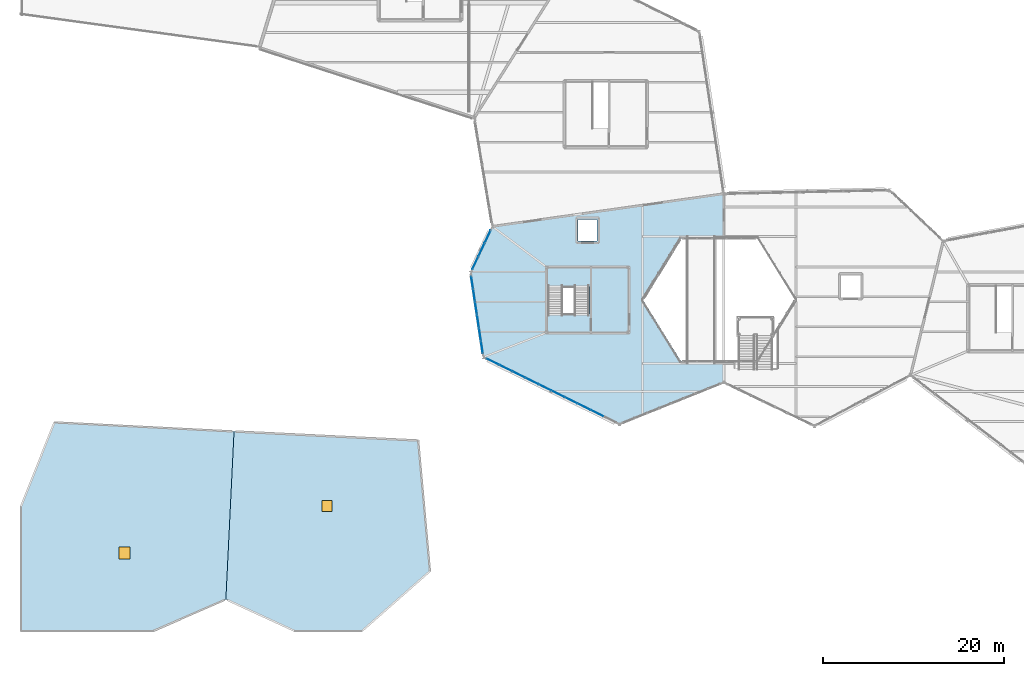
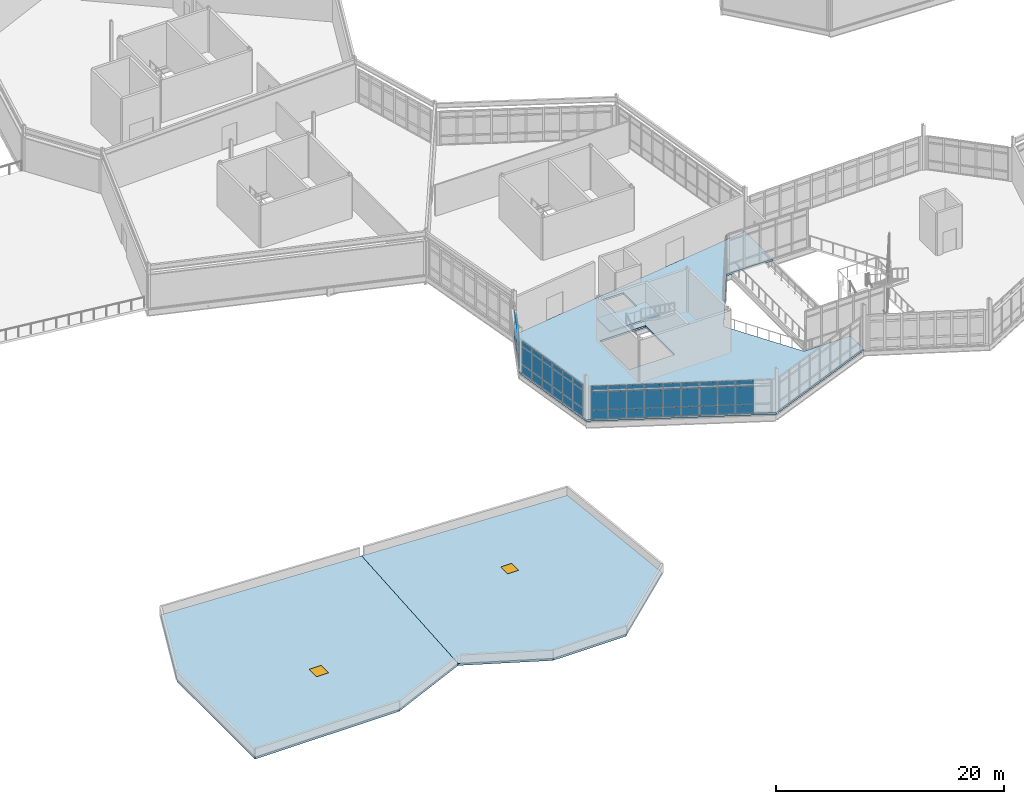
# One storey, part 44 of 76: 53 plates, 4 slabs, 2 doors, 2 openings, 4 elements without a shape of their own.
"""IFC4 building model written with IfcOpenShell, lengths in metres."""

from ifc_helpers import new_model, si_unit, direction, frame, origin, origin_2d, place, context, subcontext, project, spatial, polyline, rectangle, outline, extrude, material, layer, layer_set, type_object, element, fill, aggregate, save


model = new_model("IFC4")

# Units and contexts
model_context = context("Model", 3, precision=1e-05, world=origin(), true_north=direction((0.0, 1.0)))
body_context = subcontext(model_context, "Body", "Model", "MODEL_VIEW")
ifc_project = project(units=[si_unit("LENGTHUNIT", "METRE"), si_unit("AREAUNIT", "SQUARE_METRE"), si_unit("VOLUMEUNIT", "CUBIC_METRE"), si_unit("PLANEANGLEUNIT", "RADIAN"), si_unit("MASSUNIT", "GRAM", prefix="KILO")], contexts=[model_context])

# Site, building, storey
site_placement = place(None, origin())
site = spatial("IfcSite", under=ifc_project, at=site_placement, CompositionType="ELEMENT")
building_placement = place(site_placement, origin())
building = spatial("IfcBuilding", under=site, at=building_placement, Name="Tameran Prism Museum", CompositionType="ELEMENT")
storey_placement = place(building_placement, frame((0.0, 0.0, 15.0)))
storey = spatial("IfcBuildingStorey", under=building, at=storey_placement, Name="L03", CompositionType="ELEMENT", Elevation=15.0)

# Curtain wall, plates
ifc_material_1 = material(Name="Anodised Aluminium 6063-T6 and Cyclone Solar Glass", Category="aluminium")
curtain_wall_type_1 = type_object("IfcCurtainWallType", Name="CW-FAC-870x362", PredefinedType="USERDEFINED", material=ifc_material_1)
curtain_wall_1_placement = place(storey_placement, origin())
curtain_wall_1 = element("IfcCurtainWall", 1, at=curtain_wall_1_placement, inside=storey, type_object=curtain_wall_type_1, Name="Unitised Curtain Wall CW-134", ObjectType="UNITISED CURTAIN WALL", PredefinedType="USERDEFINED")
ifc_material_2 = material(Name="Cyclone Laminated Solar Glass", Category="glass")
ifc_layer_1 = layer(ifc_material_2, 0.031982421875)
ifc_layer_set_1 = layer_set([ifc_layer_1])
plate_type = type_object("IfcPlateType", Name="CW-PNL-G32", PredefinedType="CURTAIN_PANEL", material=ifc_layer_set_1)
plate_1_placement = place(storey_placement, frame((50.8369140625, 31.283203125, 0.080078125), z_axis=(0.0, 0.0, 1.0), x_axis=(-0.148879703546, 0.988855314933, 0.0)))
plate_1 = element("IfcPlate", 2, at=plate_1_placement, type_object=plate_type, Name="CW-134 panel 1.1", PredefinedType="CURTAIN_PANEL", context=body_context, shape_type="SweptSolid", body=[
    extrude(rectangle(XDim=1.330810546875, YDim=0.031982421875, at=origin_2d()), origin(), (0.0, 0.0, 1.0), 0.8798828125),
])
plate_2_placement = place(storey_placement, frame((50.8369140625, 31.283203125, 1.0400390625), z_axis=(0.0, 0.0, 1.0), x_axis=(-0.148879703546, 0.988855314933, 0.0)))
plate_2 = element("IfcPlate", 3, at=plate_2_placement, type_object=plate_type, Name="CW-134 panel 1.2", PredefinedType="CURTAIN_PANEL", context=body_context, shape_type="SweptSolid", body=[
    extrude(rectangle(XDim=1.330810546875, YDim=0.031982421875, at=origin_2d()), origin(), (0.0, 0.0, 1.0), 1.860107421875),
])
plate_3_placement = place(storey_placement, frame((50.8369140625, 31.283203125, 2.97998046875), z_axis=(0.0, 0.0, 1.0), x_axis=(-0.148879703546, 0.988855314933, 0.0)))
plate_3 = element("IfcPlate", 4, at=plate_3_placement, type_object=plate_type, Name="CW-134 panel 1.3", PredefinedType="CURTAIN_PANEL", context=body_context, shape_type="SweptSolid", body=[
    extrude(rectangle(XDim=1.330810546875, YDim=0.031982421875, at=origin_2d()), origin(), (0.0, 0.0, 1.0), 0.56005859375),
])
plate_4_placement = place(storey_placement, frame((50.6240234375, 32.697998046875, 0.080078125), z_axis=(0.0, 0.0, 1.0), x_axis=(-0.148879703546, 0.988855314933, 0.0)))
plate_4 = element("IfcPlate", 5, at=plate_4_placement, type_object=plate_type, Name="CW-134 panel 2.1", PredefinedType="CURTAIN_PANEL", context=body_context, shape_type="SweptSolid", body=[
    extrude(rectangle(XDim=1.370849609375, YDim=0.031982421875, at=origin_2d()), origin(), (0.0, 0.0, 1.0), 0.8798828125),
])
plate_5_placement = place(storey_placement, frame((50.6240234375, 32.697998046875, 1.0400390625), z_axis=(0.0, 0.0, 1.0), x_axis=(-0.148879703546, 0.988855314933, 0.0)))
plate_5 = element("IfcPlate", 6, at=plate_5_placement, type_object=plate_type, Name="CW-134 panel 2.2", PredefinedType="CURTAIN_PANEL", context=body_context, shape_type="SweptSolid", body=[
    extrude(rectangle(XDim=1.370849609375, YDim=0.031982421875, at=origin_2d()), origin(), (0.0, 0.0, 1.0), 1.860107421875),
])
plate_6_placement = place(storey_placement, frame((50.6240234375, 32.697998046875, 2.97998046875), z_axis=(0.0, 0.0, 1.0), x_axis=(-0.148879703546, 0.988855314933, 0.0)))
plate_6 = element("IfcPlate", 7, at=plate_6_placement, type_object=plate_type, Name="CW-134 panel 2.3", PredefinedType="CURTAIN_PANEL", context=body_context, shape_type="SweptSolid", body=[
    extrude(rectangle(XDim=1.370849609375, YDim=0.031982421875, at=origin_2d()), origin(), (0.0, 0.0, 1.0), 0.56005859375),
])
plate_7_placement = place(storey_placement, frame((50.407958984375, 34.132568359375, 0.080078125), z_axis=(0.0, 0.0, 1.0), x_axis=(-0.148879703546, 0.988855314933, 0.0)))
plate_7 = element("IfcPlate", 8, at=plate_7_placement, type_object=plate_type, Name="CW-134 panel 3.1", PredefinedType="CURTAIN_PANEL", context=body_context, shape_type="SweptSolid", body=[
    extrude(rectangle(XDim=1.370849609375, YDim=0.031982421875, at=origin_2d()), origin(), (0.0, 0.0, 1.0), 0.8798828125),
])
plate_8_placement = place(storey_placement, frame((50.407958984375, 34.132568359375, 1.0400390625), z_axis=(0.0, 0.0, 1.0), x_axis=(-0.148879703546, 0.988855314933, 0.0)))
plate_8 = element("IfcPlate", 9, at=plate_8_placement, type_object=plate_type, Name="CW-134 panel 3.2", PredefinedType="CURTAIN_PANEL", context=body_context, shape_type="SweptSolid", body=[
    extrude(rectangle(XDim=1.370849609375, YDim=0.031982421875, at=origin_2d()), origin(), (0.0, 0.0, 1.0), 1.860107421875),
])
plate_9_placement = place(storey_placement, frame((50.407958984375, 34.132568359375, 2.97998046875), z_axis=(0.0, 0.0, 1.0), x_axis=(-0.148879703546, 0.988855314933, 0.0)))
plate_9 = element("IfcPlate", 10, at=plate_9_placement, type_object=plate_type, Name="CW-134 panel 3.3", PredefinedType="CURTAIN_PANEL", context=body_context, shape_type="SweptSolid", body=[
    extrude(rectangle(XDim=1.370849609375, YDim=0.031982421875, at=origin_2d()), origin(), (0.0, 0.0, 1.0), 0.56005859375),
])
plate_10_placement = place(storey_placement, frame((50.19189453125, 35.5673828125, 0.080078125), z_axis=(0.0, 0.0, 1.0), x_axis=(-0.148879703546, 0.988855314933, 0.0)))
plate_10 = element("IfcPlate", 11, at=plate_10_placement, type_object=plate_type, Name="CW-134 panel 4.1", PredefinedType="CURTAIN_PANEL", context=body_context, shape_type="SweptSolid", body=[
    extrude(rectangle(XDim=1.370849609375, YDim=0.031982421875, at=origin_2d()), origin(), (0.0, 0.0, 1.0), 0.8798828125),
])
plate_11_placement = place(storey_placement, frame((50.19189453125, 35.5673828125, 1.0400390625), z_axis=(0.0, 0.0, 1.0), x_axis=(-0.148879703546, 0.988855314933, 0.0)))
plate_11 = element("IfcPlate", 12, at=plate_11_placement, type_object=plate_type, Name="CW-134 panel 4.2", PredefinedType="CURTAIN_PANEL", context=body_context, shape_type="SweptSolid", body=[
    extrude(rectangle(XDim=1.370849609375, YDim=0.031982421875, at=origin_2d()), origin(), (0.0, 0.0, 1.0), 1.860107421875),
])
plate_12_placement = place(storey_placement, frame((50.19189453125, 35.5673828125, 2.97998046875), z_axis=(0.0, 0.0, 1.0), x_axis=(-0.148879703546, 0.988855314933, 0.0)))
plate_12 = element("IfcPlate", 13, at=plate_12_placement, type_object=plate_type, Name="CW-134 panel 4.3", PredefinedType="CURTAIN_PANEL", context=body_context, shape_type="SweptSolid", body=[
    extrude(rectangle(XDim=1.370849609375, YDim=0.031982421875, at=origin_2d()), origin(), (0.0, 0.0, 1.0), 0.56005859375),
])
plate_13_placement = place(storey_placement, frame((49.97607421875, 37.001953125, 0.080078125), z_axis=(0.0, 0.0, 1.0), x_axis=(-0.148879703546, 0.988855314933, 0.0)))
plate_13 = element("IfcPlate", 14, at=plate_13_placement, type_object=plate_type, Name="CW-134 panel 5.1", PredefinedType="CURTAIN_PANEL", context=body_context, shape_type="SweptSolid", body=[
    extrude(rectangle(XDim=1.370849609375, YDim=0.031982421875, at=origin_2d()), origin(), (0.0, 0.0, 1.0), 0.8798828125),
])
plate_14_placement = place(storey_placement, frame((49.97607421875, 37.001953125, 1.0400390625), z_axis=(0.0, 0.0, 1.0), x_axis=(-0.148879703546, 0.988855314933, 0.0)))
plate_14 = element("IfcPlate", 15, at=plate_14_placement, type_object=plate_type, Name="CW-134 panel 5.2", PredefinedType="CURTAIN_PANEL", context=body_context, shape_type="SweptSolid", body=[
    extrude(rectangle(XDim=1.370849609375, YDim=0.031982421875, at=origin_2d()), origin(), (0.0, 0.0, 1.0), 1.860107421875),
])
plate_15_placement = place(storey_placement, frame((49.97607421875, 37.001953125, 2.97998046875), z_axis=(0.0, 0.0, 1.0), x_axis=(-0.148879703546, 0.988855314933, 0.0)))
plate_15 = element("IfcPlate", 16, at=plate_15_placement, type_object=plate_type, Name="CW-134 panel 5.3", PredefinedType="CURTAIN_PANEL", context=body_context, shape_type="SweptSolid", body=[
    extrude(rectangle(XDim=1.370849609375, YDim=0.031982421875, at=origin_2d()), origin(), (0.0, 0.0, 1.0), 0.56005859375),
])
plate_16_placement = place(storey_placement, frame((49.762939453125, 38.4169921875, 0.080078125), z_axis=(0.0, 0.0, 1.0), x_axis=(-0.148879703546, 0.988855314933, 0.0)))
plate_16 = element("IfcPlate", 17, at=plate_16_placement, type_object=plate_type, Name="CW-134 panel 6.1", PredefinedType="CURTAIN_PANEL", context=body_context, shape_type="SweptSolid", body=[
    extrude(rectangle(XDim=1.330810546875, YDim=0.031982421875, at=origin_2d()), origin(), (0.0, 0.0, 1.0), 0.8798828125),
])
plate_17_placement = place(storey_placement, frame((49.762939453125, 38.4169921875, 1.0400390625), z_axis=(0.0, 0.0, 1.0), x_axis=(-0.148879703546, 0.988855314933, 0.0)))
plate_17 = element("IfcPlate", 18, at=plate_17_placement, type_object=plate_type, Name="CW-134 panel 6.2", PredefinedType="CURTAIN_PANEL", context=body_context, shape_type="SweptSolid", body=[
    extrude(rectangle(XDim=1.330810546875, YDim=0.031982421875, at=origin_2d()), origin(), (0.0, 0.0, 1.0), 1.860107421875),
])
plate_18_placement = place(storey_placement, frame((49.762939453125, 38.4169921875, 2.97998046875), z_axis=(0.0, 0.0, 1.0), x_axis=(-0.148879703546, 0.988855314933, 0.0)))
plate_18 = element("IfcPlate", 19, at=plate_18_placement, type_object=plate_type, Name="CW-134 panel 6.3", PredefinedType="CURTAIN_PANEL", context=body_context, shape_type="SweptSolid", body=[
    extrude(rectangle(XDim=1.330810546875, YDim=0.031982421875, at=origin_2d()), origin(), (0.0, 0.0, 1.0), 0.56005859375),
])
aggregate(curtain_wall_1, [plate_1, plate_2, plate_3, plate_4, plate_5, plate_6, plate_7, plate_8, plate_9, plate_10, plate_11, plate_12, plate_13, plate_14, plate_15, plate_16, plate_17, plate_18])

ifc_material_3 = material(Name="Anodised Aluminium 6063-T6 and Cyclone Solar Glass", Category="aluminium")
curtain_wall_type_2 = type_object("IfcCurtainWallType", Name="CW-FAC-1603x362", PredefinedType="USERDEFINED", material=ifc_material_3)
curtain_wall_2_placement = place(storey_placement, origin())
curtain_wall_2 = element("IfcCurtainWall", 20, at=curtain_wall_2_placement, inside=storey, type_object=curtain_wall_type_2, Name="Unitised Curtain Wall CW-135", ObjectType="UNITISED CURTAIN WALL", PredefinedType="USERDEFINED")
plate_19_placement = place(storey_placement, frame((63.5302734375, 24.0185546875, 0.06494140625), z_axis=(0.0, 0.0, 1.0), x_axis=(-0.896810506275, 0.44241486846, 0.0)))
plate_19 = element("IfcPlate", 21, at=plate_19_placement, type_object=plate_type, Name="CW-135 panel 2.1", PredefinedType="CURTAIN_PANEL", context=body_context, shape_type="SweptSolid", body=[
    extrude(rectangle(XDim=1.53759765625, YDim=0.031982421875, at=origin_2d()), origin(), (0.0, 0.0, 1.0), 0.902587890625),
])
plate_20_placement = place(storey_placement, frame((63.5302734375, 24.0185546875, 1.032470703125), z_axis=(0.0, 0.0, 1.0), x_axis=(-0.896810506275, 0.44241486846, 0.0)))
plate_20 = element("IfcPlate", 22, at=plate_20_placement, type_object=plate_type, Name="CW-135 panel 2.2", PredefinedType="CURTAIN_PANEL", context=body_context, shape_type="SweptSolid", body=[
    extrude(rectangle(XDim=1.53759765625, YDim=0.031982421875, at=origin_2d()), origin(), (0.0, 0.0, 1.0), 1.875),
])
plate_21_placement = place(storey_placement, frame((63.5302734375, 24.0185546875, 2.972412109375), z_axis=(0.0, 0.0, 1.0), x_axis=(-0.896810506275, 0.44241486846, 0.0)))
plate_21 = element("IfcPlate", 23, at=plate_21_placement, type_object=plate_type, Name="CW-135 panel 2.3", PredefinedType="CURTAIN_PANEL", context=body_context, shape_type="SweptSolid", body=[
    extrude(rectangle(XDim=1.53759765625, YDim=0.031982421875, at=origin_2d()), origin(), (0.0, 0.0, 1.0), 0.58251953125),
])
plate_22_placement = place(storey_placement, frame((62.093017578125, 24.7275390625, 0.06494140625), z_axis=(0.0, 0.0, 1.0), x_axis=(-0.896810506275, 0.44241486846, 0.0)))
plate_22 = element("IfcPlate", 24, at=plate_22_placement, type_object=plate_type, Name="CW-135 panel 3.1", PredefinedType="CURTAIN_PANEL", context=body_context, shape_type="SweptSolid", body=[
    extrude(rectangle(XDim=1.53759765625, YDim=0.031982421875, at=origin_2d()), origin(), (0.0, 0.0, 1.0), 0.902587890625),
])
plate_23_placement = place(storey_placement, frame((62.093017578125, 24.7275390625, 1.032470703125), z_axis=(0.0, 0.0, 1.0), x_axis=(-0.896810506275, 0.44241486846, 0.0)))
plate_23 = element("IfcPlate", 25, at=plate_23_placement, type_object=plate_type, Name="CW-135 panel 3.2", PredefinedType="CURTAIN_PANEL", context=body_context, shape_type="SweptSolid", body=[
    extrude(rectangle(XDim=1.53759765625, YDim=0.031982421875, at=origin_2d()), origin(), (0.0, 0.0, 1.0), 1.875),
])
plate_24_placement = place(storey_placement, frame((62.093017578125, 24.7275390625, 2.972412109375), z_axis=(0.0, 0.0, 1.0), x_axis=(-0.896810506275, 0.44241486846, 0.0)))
plate_24 = element("IfcPlate", 26, at=plate_24_placement, type_object=plate_type, Name="CW-135 panel 3.3", PredefinedType="CURTAIN_PANEL", context=body_context, shape_type="SweptSolid", body=[
    extrude(rectangle(XDim=1.53759765625, YDim=0.031982421875, at=origin_2d()), origin(), (0.0, 0.0, 1.0), 0.58251953125),
])
plate_25_placement = place(storey_placement, frame((60.65576171875, 25.4365234375, 0.06494140625), z_axis=(0.0, 0.0, 1.0), x_axis=(-0.896810506275, 0.44241486846, 0.0)))
plate_25 = element("IfcPlate", 27, at=plate_25_placement, type_object=plate_type, Name="CW-135 panel 4.1", PredefinedType="CURTAIN_PANEL", context=body_context, shape_type="SweptSolid", body=[
    extrude(rectangle(XDim=1.53759765625, YDim=0.031982421875, at=origin_2d()), origin(), (0.0, 0.0, 1.0), 0.902587890625),
])
plate_26_placement = place(storey_placement, frame((60.65576171875, 25.4365234375, 1.032470703125), z_axis=(0.0, 0.0, 1.0), x_axis=(-0.896810506275, 0.44241486846, 0.0)))
plate_26 = element("IfcPlate", 28, at=plate_26_placement, type_object=plate_type, Name="CW-135 panel 4.2", PredefinedType="CURTAIN_PANEL", context=body_context, shape_type="SweptSolid", body=[
    extrude(rectangle(XDim=1.53759765625, YDim=0.031982421875, at=origin_2d()), origin(), (0.0, 0.0, 1.0), 1.875),
])
plate_27_placement = place(storey_placement, frame((60.65576171875, 25.4365234375, 2.972412109375), z_axis=(0.0, 0.0, 1.0), x_axis=(-0.896810506275, 0.44241486846, 0.0)))
plate_27 = element("IfcPlate", 29, at=plate_27_placement, type_object=plate_type, Name="CW-135 panel 4.3", PredefinedType="CURTAIN_PANEL", context=body_context, shape_type="SweptSolid", body=[
    extrude(rectangle(XDim=1.53759765625, YDim=0.031982421875, at=origin_2d()), origin(), (0.0, 0.0, 1.0), 0.58251953125),
])
plate_28_placement = place(storey_placement, frame((59.218505859375, 26.1455078125, 0.06494140625), z_axis=(0.0, 0.0, 1.0), x_axis=(-0.896810506275, 0.44241486846, 0.0)))
plate_28 = element("IfcPlate", 30, at=plate_28_placement, type_object=plate_type, Name="CW-135 panel 5.1", PredefinedType="CURTAIN_PANEL", context=body_context, shape_type="SweptSolid", body=[
    extrude(rectangle(XDim=1.53759765625, YDim=0.031982421875, at=origin_2d()), origin(), (0.0, 0.0, 1.0), 0.902587890625),
])
plate_29_placement = place(storey_placement, frame((59.218505859375, 26.1455078125, 1.032470703125), z_axis=(0.0, 0.0, 1.0), x_axis=(-0.896810506275, 0.44241486846, 0.0)))
plate_29 = element("IfcPlate", 31, at=plate_29_placement, type_object=plate_type, Name="CW-135 panel 5.2", PredefinedType="CURTAIN_PANEL", context=body_context, shape_type="SweptSolid", body=[
    extrude(rectangle(XDim=1.53759765625, YDim=0.031982421875, at=origin_2d()), origin(), (0.0, 0.0, 1.0), 1.875),
])
plate_30_placement = place(storey_placement, frame((59.218505859375, 26.1455078125, 2.972412109375), z_axis=(0.0, 0.0, 1.0), x_axis=(-0.896810506275, 0.44241486846, 0.0)))
plate_30 = element("IfcPlate", 32, at=plate_30_placement, type_object=plate_type, Name="CW-135 panel 5.3", PredefinedType="CURTAIN_PANEL", context=body_context, shape_type="SweptSolid", body=[
    extrude(rectangle(XDim=1.53759765625, YDim=0.031982421875, at=origin_2d()), origin(), (0.0, 0.0, 1.0), 0.58251953125),
])
plate_31_placement = place(storey_placement, frame((57.781494140625, 26.8544921875, 0.06494140625), z_axis=(0.0, 0.0, 1.0), x_axis=(-0.896810506275, 0.44241486846, 0.0)))
plate_31 = element("IfcPlate", 33, at=plate_31_placement, type_object=plate_type, Name="CW-135 panel 6.1", PredefinedType="CURTAIN_PANEL", context=body_context, shape_type="SweptSolid", body=[
    extrude(rectangle(XDim=1.53759765625, YDim=0.031982421875, at=origin_2d()), origin(), (0.0, 0.0, 1.0), 0.902587890625),
])
plate_32_placement = place(storey_placement, frame((57.781494140625, 26.8544921875, 1.032470703125), z_axis=(0.0, 0.0, 1.0), x_axis=(-0.896810506275, 0.44241486846, 0.0)))
plate_32 = element("IfcPlate", 34, at=plate_32_placement, type_object=plate_type, Name="CW-135 panel 6.2", PredefinedType="CURTAIN_PANEL", context=body_context, shape_type="SweptSolid", body=[
    extrude(rectangle(XDim=1.53759765625, YDim=0.031982421875, at=origin_2d()), origin(), (0.0, 0.0, 1.0), 1.875),
])
plate_33_placement = place(storey_placement, frame((57.781494140625, 26.8544921875, 2.972412109375), z_axis=(0.0, 0.0, 1.0), x_axis=(-0.896810506275, 0.44241486846, 0.0)))
plate_33 = element("IfcPlate", 35, at=plate_33_placement, type_object=plate_type, Name="CW-135 panel 6.3", PredefinedType="CURTAIN_PANEL", context=body_context, shape_type="SweptSolid", body=[
    extrude(rectangle(XDim=1.53759765625, YDim=0.031982421875, at=origin_2d()), origin(), (0.0, 0.0, 1.0), 0.58251953125),
])
plate_34_placement = place(storey_placement, frame((56.34423828125, 27.5634765625, 0.06494140625), z_axis=(0.0, 0.0, 1.0), x_axis=(-0.896810506275, 0.44241486846, 0.0)))
plate_34 = element("IfcPlate", 36, at=plate_34_placement, type_object=plate_type, Name="CW-135 panel 7.1", PredefinedType="CURTAIN_PANEL", context=body_context, shape_type="SweptSolid", body=[
    extrude(rectangle(XDim=1.53759765625, YDim=0.031982421875, at=origin_2d()), origin(), (0.0, 0.0, 1.0), 0.902587890625),
])
plate_35_placement = place(storey_placement, frame((56.34423828125, 27.5634765625, 1.032470703125), z_axis=(0.0, 0.0, 1.0), x_axis=(-0.896810506275, 0.44241486846, 0.0)))
plate_35 = element("IfcPlate", 37, at=plate_35_placement, type_object=plate_type, Name="CW-135 panel 7.2", PredefinedType="CURTAIN_PANEL", context=body_context, shape_type="SweptSolid", body=[
    extrude(rectangle(XDim=1.53759765625, YDim=0.031982421875, at=origin_2d()), origin(), (0.0, 0.0, 1.0), 1.875),
])
plate_36_placement = place(storey_placement, frame((56.34423828125, 27.5634765625, 2.972412109375), z_axis=(0.0, 0.0, 1.0), x_axis=(-0.896810506275, 0.44241486846, 0.0)))
plate_36 = element("IfcPlate", 38, at=plate_36_placement, type_object=plate_type, Name="CW-135 panel 7.3", PredefinedType="CURTAIN_PANEL", context=body_context, shape_type="SweptSolid", body=[
    extrude(rectangle(XDim=1.53759765625, YDim=0.031982421875, at=origin_2d()), origin(), (0.0, 0.0, 1.0), 0.58251953125),
])
plate_37_placement = place(storey_placement, frame((54.906982421875, 28.2724609375, 0.06494140625), z_axis=(0.0, 0.0, 1.0), x_axis=(-0.896810506275, 0.44241486846, 0.0)))
plate_37 = element("IfcPlate", 39, at=plate_37_placement, type_object=plate_type, Name="CW-135 panel 8.1", PredefinedType="CURTAIN_PANEL", context=body_context, shape_type="SweptSolid", body=[
    extrude(rectangle(XDim=1.53759765625, YDim=0.031982421875, at=origin_2d()), origin(), (0.0, 0.0, 1.0), 0.902587890625),
])
plate_38_placement = place(storey_placement, frame((54.906982421875, 28.2724609375, 1.032470703125), z_axis=(0.0, 0.0, 1.0), x_axis=(-0.896810506275, 0.44241486846, 0.0)))
plate_38 = element("IfcPlate", 40, at=plate_38_placement, type_object=plate_type, Name="CW-135 panel 8.2", PredefinedType="CURTAIN_PANEL", context=body_context, shape_type="SweptSolid", body=[
    extrude(rectangle(XDim=1.53759765625, YDim=0.031982421875, at=origin_2d()), origin(), (0.0, 0.0, 1.0), 1.875),
])
plate_39_placement = place(storey_placement, frame((54.906982421875, 28.2724609375, 2.972412109375), z_axis=(0.0, 0.0, 1.0), x_axis=(-0.896810506275, 0.44241486846, 0.0)))
plate_39 = element("IfcPlate", 41, at=plate_39_placement, type_object=plate_type, Name="CW-135 panel 8.3", PredefinedType="CURTAIN_PANEL", context=body_context, shape_type="SweptSolid", body=[
    extrude(rectangle(XDim=1.53759765625, YDim=0.031982421875, at=origin_2d()), origin(), (0.0, 0.0, 1.0), 0.58251953125),
])
plate_40_placement = place(storey_placement, frame((53.4697265625, 28.9814453125, 0.06494140625), z_axis=(0.0, 0.0, 1.0), x_axis=(-0.896810506275, 0.44241486846, 0.0)))
plate_40 = element("IfcPlate", 42, at=plate_40_placement, type_object=plate_type, Name="CW-135 panel 9.1", PredefinedType="CURTAIN_PANEL", context=body_context, shape_type="SweptSolid", body=[
    extrude(rectangle(XDim=1.53759765625, YDim=0.031982421875, at=origin_2d()), origin(), (0.0, 0.0, 1.0), 0.902587890625),
])
plate_41_placement = place(storey_placement, frame((53.4697265625, 28.9814453125, 1.032470703125), z_axis=(0.0, 0.0, 1.0), x_axis=(-0.896810506275, 0.44241486846, 0.0)))
plate_41 = element("IfcPlate", 43, at=plate_41_placement, type_object=plate_type, Name="CW-135 panel 9.2", PredefinedType="CURTAIN_PANEL", context=body_context, shape_type="SweptSolid", body=[
    extrude(rectangle(XDim=1.53759765625, YDim=0.031982421875, at=origin_2d()), origin(), (0.0, 0.0, 1.0), 1.875),
])
plate_42_placement = place(storey_placement, frame((53.4697265625, 28.9814453125, 2.972412109375), z_axis=(0.0, 0.0, 1.0), x_axis=(-0.896810506275, 0.44241486846, 0.0)))
plate_42 = element("IfcPlate", 44, at=plate_42_placement, type_object=plate_type, Name="CW-135 panel 9.3", PredefinedType="CURTAIN_PANEL", context=body_context, shape_type="SweptSolid", body=[
    extrude(rectangle(XDim=1.53759765625, YDim=0.031982421875, at=origin_2d()), origin(), (0.0, 0.0, 1.0), 0.58251953125),
])
plate_43_placement = place(storey_placement, frame((52.047119140625, 29.683349609375, 0.06494140625), z_axis=(0.0, 0.0, 1.0), x_axis=(-0.896810506275, 0.44241486846, 0.0)))
plate_43 = element("IfcPlate", 45, at=plate_43_placement, type_object=plate_type, Name="CW-135 panel 10.1", PredefinedType="CURTAIN_PANEL", context=body_context, shape_type="SweptSolid", body=[
    extrude(rectangle(XDim=1.505126953125, YDim=0.031982421875, at=origin_2d()), origin(), (0.0, 0.0, 1.0), 0.902587890625),
])
plate_44_placement = place(storey_placement, frame((52.047119140625, 29.683349609375, 1.032470703125), z_axis=(0.0, 0.0, 1.0), x_axis=(-0.896810506275, 0.44241486846, 0.0)))
plate_44 = element("IfcPlate", 46, at=plate_44_placement, type_object=plate_type, Name="CW-135 panel 10.2", PredefinedType="CURTAIN_PANEL", context=body_context, shape_type="SweptSolid", body=[
    extrude(rectangle(XDim=1.505126953125, YDim=0.031982421875, at=origin_2d()), origin(), (0.0, 0.0, 1.0), 1.875),
])
plate_45_placement = place(storey_placement, frame((52.047119140625, 29.683349609375, 2.972412109375), z_axis=(0.0, 0.0, 1.0), x_axis=(-0.896810506275, 0.44241486846, 0.0)))
plate_45 = element("IfcPlate", 47, at=plate_45_placement, type_object=plate_type, Name="CW-135 panel 10.3", PredefinedType="CURTAIN_PANEL", context=body_context, shape_type="SweptSolid", body=[
    extrude(rectangle(XDim=1.505126953125, YDim=0.031982421875, at=origin_2d()), origin(), (0.0, 0.0, 1.0), 0.58251953125),
])
aggregate(curtain_wall_2, [plate_19, plate_20, plate_21, plate_22, plate_23, plate_24, plate_25, plate_26, plate_27, plate_28, plate_29, plate_30, plate_31, plate_32, plate_33, plate_34, plate_35, plate_36, plate_37, plate_38, plate_39, plate_40, plate_41, plate_42, plate_43, plate_44, plate_45])

ifc_material_4 = material(Name="Anodised Aluminium 6063-T6 and Cyclone Solar Glass", Category="aluminium")
curtain_wall_type_3 = type_object("IfcCurtainWallType", Name="CW-FAC-488x362", PredefinedType="USERDEFINED", material=ifc_material_4)
curtain_wall_3_placement = place(storey_placement, origin())
curtain_wall_3 = element("IfcCurtainWall", 48, at=curtain_wall_3_placement, inside=storey, type_object=curtain_wall_type_3, Name="Unitised Curtain Wall CW-137", ObjectType="UNITISED CURTAIN WALL", PredefinedType="USERDEFINED")
plate_46_placement = place(storey_placement, frame((50.10302734375, 40.5693359375, 0.0751953125), z_axis=(0.0, 0.0, 1.0), x_axis=(0.425757529364, 0.904837292661, 0.0)))
plate_46 = element("IfcPlate", 49, at=plate_46_placement, type_object=plate_type, Name="CW-137 panel 1.1", PredefinedType="CURTAIN_PANEL", context=body_context, shape_type="SweptSolid", body=[
    extrude(rectangle(XDim=1.512939453125, YDim=0.031982421875, at=origin_2d()), origin(), (0.0, 0.0, 1.0), 0.887451171875),
])
plate_47_placement = place(storey_placement, frame((50.10302734375, 40.5693359375, 1.03759765625), z_axis=(0.0, 0.0, 1.0), x_axis=(0.425757529364, 0.904837292661, 0.0)))
plate_47 = element("IfcPlate", 50, at=plate_47_placement, type_object=plate_type, Name="CW-137 panel 1.2", PredefinedType="CURTAIN_PANEL", context=body_context, shape_type="SweptSolid", body=[
    extrude(rectangle(XDim=1.512939453125, YDim=0.031982421875, at=origin_2d()), origin(), (0.0, 0.0, 1.0), 1.864990234375),
])
plate_48_placement = place(storey_placement, frame((50.10302734375, 40.5693359375, 2.9775390625), z_axis=(0.0, 0.0, 1.0), x_axis=(0.425757529364, 0.904837292661, 0.0)))
plate_48 = element("IfcPlate", 51, at=plate_48_placement, type_object=plate_type, Name="CW-137 panel 1.3", PredefinedType="CURTAIN_PANEL", context=body_context, shape_type="SweptSolid", body=[
    extrude(rectangle(XDim=1.512939453125, YDim=0.031982421875, at=origin_2d()), origin(), (0.0, 0.0, 1.0), 0.5673828125),
])
plate_49_placement = place(storey_placement, frame((50.787109375, 42.02294921875, 0.0751953125), z_axis=(0.0, 0.0, 1.0), x_axis=(0.425757529364, 0.904837292661, 0.0)))
plate_49 = element("IfcPlate", 52, at=plate_49_placement, type_object=plate_type, Name="CW-137 panel 2.1", PredefinedType="CURTAIN_PANEL", context=body_context, shape_type="SweptSolid", body=[
    extrude(rectangle(XDim=1.55029296875, YDim=0.031982421875, at=origin_2d()), origin(), (0.0, 0.0, 1.0), 0.887451171875),
])
plate_50_placement = place(storey_placement, frame((50.787109375, 42.02294921875, 1.03759765625), z_axis=(0.0, 0.0, 1.0), x_axis=(0.425757529364, 0.904837292661, 0.0)))
plate_50 = element("IfcPlate", 53, at=plate_50_placement, type_object=plate_type, Name="CW-137 panel 2.2", PredefinedType="CURTAIN_PANEL", context=body_context, shape_type="SweptSolid", body=[
    extrude(rectangle(XDim=1.55029296875, YDim=0.031982421875, at=origin_2d()), origin(), (0.0, 0.0, 1.0), 1.864990234375),
])
plate_51_placement = place(storey_placement, frame((50.787109375, 42.02294921875, 2.9775390625), z_axis=(0.0, 0.0, 1.0), x_axis=(0.425757529364, 0.904837292661, 0.0)))
plate_51 = element("IfcPlate", 54, at=plate_51_placement, type_object=plate_type, Name="CW-137 panel 2.3", PredefinedType="CURTAIN_PANEL", context=body_context, shape_type="SweptSolid", body=[
    extrude(rectangle(XDim=1.55029296875, YDim=0.031982421875, at=origin_2d()), origin(), (0.0, 0.0, 1.0), 0.5673828125),
])
plate_52_placement = place(storey_placement, frame((51.470947265625, 43.476806640625, 0.0751953125), z_axis=(0.0, 0.0, 1.0), x_axis=(0.425757529364, 0.904837292661, 0.0)))
plate_52 = element("IfcPlate", 55, at=plate_52_placement, type_object=plate_type, Name="CW-137 panel 3.1", PredefinedType="CURTAIN_PANEL", context=body_context, shape_type="SweptSolid", body=[
    extrude(rectangle(XDim=1.512939453125, YDim=0.031982421875, at=origin_2d()), origin(), (0.0, 0.0, 1.0), 0.887451171875),
])
plate_53_placement = place(storey_placement, frame((51.470947265625, 43.476806640625, 1.03759765625), z_axis=(0.0, 0.0, 1.0), x_axis=(0.425757529364, 0.904837292661, 0.0)))
plate_53 = element("IfcPlate", 56, at=plate_53_placement, type_object=plate_type, Name="CW-137 panel 3.2", PredefinedType="CURTAIN_PANEL", context=body_context, shape_type="SweptSolid", body=[
    extrude(rectangle(XDim=1.512939453125, YDim=0.031982421875, at=origin_2d()), origin(), (0.0, 0.0, 1.0), 1.864990234375),
])
aggregate(curtain_wall_3, [plate_46, plate_47, plate_48, plate_49, plate_50, plate_51, plate_52, plate_53])

# Slab
ifc_material_5 = material(Name="Concrete N32 (32 MPa)", Category="concrete")
ifc_layer_2 = layer(ifc_material_5, 0.199951171875)
ifc_layer_set_2 = layer_set([ifc_layer_2])
slab_type_1 = type_object("IfcSlabType", Name="SL-FLR-200", PredefinedType="FLOOR", material=ifc_layer_set_2)
slab_1_placement = place(storey_placement, frame((0.0, 0.0, -0.199951171875)))
element("IfcSlab", 57, at=slab_1_placement, inside=storey, type_object=slab_type_1, Name="Floor Slab FS-P05-L03", PredefinedType="FLOOR", context=body_context, shape_type="SweptSolid", body=[
    extrude(outline(polyline([(77.5, 27.39990234375), (66.0, 22.800048828125), (51.0, 30.199951171875), (49.60009765625, 39.5), (52.0, 44.60009765625), (77.5, 48.199951171875), (77.5, 43.300048828125), (72.800048828125, 43.300048828125), (68.60009765625, 36.5), (72.800048828125, 29.699951171875), (77.5, 29.699951171875), (77.5, 27.39990234375)]), holes=[polyline([(58.10009765625, 34.93994140625), (62.719970703125, 34.93994140625), (62.719970703125, 40.050048828125), (58.10009765625, 40.050048828125), (58.10009765625, 34.93994140625)]), polyline([(61.449951171875, 43.0), (63.550048828125, 43.0), (63.550048828125, 45.39990234375), (61.449951171875, 45.39990234375), (61.449951171875, 43.0)])]), origin(), (0.0, 0.0, 1.0), 0.199951171875),
])

# Stair, slab
ifc_material_6 = material(Name="Concrete N40 (40 MPa)", Category="concrete")
stair_type = type_object("IfcStairType", Name="ST-CORE-48", PredefinedType="HALF_TURN_STAIR", material=ifc_material_6)
stair_placement = place(storey_placement, origin())
stair = element("IfcStair", 58, at=stair_placement, inside=storey, type_object=stair_type, Name="Fire-Isolated Stair ST-03-L03", PredefinedType="HALF_TURN_STAIR")
ifc_material_7 = material(Name="Concrete N40 (40 MPa)", Category="concrete")
ifc_layer_3 = layer(ifc_material_7, 0.18505859375)
ifc_layer_set_3 = layer_set([ifc_layer_3])
slab_type_2 = type_object("IfcSlabType", Name="SL-LND-185", PredefinedType="LANDING", material=ifc_layer_set_3)
slab_2_placement = place(storey_placement, frame((0.0, 0.0, 2.215087890625)))
slab_2 = element("IfcSlab", 59, at=slab_2_placement, type_object=slab_type_2, Name="ST-03-L03 landing 1", PredefinedType="LANDING", context=body_context, shape_type="SweptSolid", body=[
    extrude(outline(polyline([(57.8798828125, 37.9150390625), (62.8701171875, 37.9150390625), (62.8701171875, 40.219970703125), (57.8798828125, 40.219970703125), (57.8798828125, 37.9150390625)])), origin(), (0.0, 0.0, 1.0), 0.184814453125),
])
aggregate(stair, [slab_2])

# Slab, opening, door
ifc_material_8 = material(Name="Concrete N40 (40 MPa)", Category="concrete")
ifc_layer_4 = layer(ifc_material_8, 0.22998046875)
ifc_layer_set_4 = layer_set([ifc_layer_4])
slab_type_3 = type_object("IfcSlabType", Name="SL-ROOF-230", PredefinedType="ROOF", material=ifc_layer_set_4)
slab_3_placement = place(storey_placement, frame((0.0, 0.0, -0.22998046875)))
slab_3 = element("IfcSlab", 60, at=slab_3_placement, inside=storey, type_object=slab_type_3, Name="Sedum Cool Roof P11 L03", PredefinedType="ROOF", context=body_context, shape_type="SweptSolid", body=[
    extrude(outline(polyline([(23.5, 22.0), (3.699951171875, 23.0), (0.0, 13.699951171875), (0.0, 0.0), (14.60009765625, 0.0), (22.60009765625, 3.5), (23.5, 22.0)])), origin(), (0.0, 0.0, 1.0), 0.22998046875),
])
opening_1_placement = place(slab_3_placement, frame((11.424072265625, 8.60009765625, 0.0)))
opening_1 = element("IfcOpeningElement", 61, at=opening_1_placement, cuts=slab_3, Name="Opening RH-02", PredefinedType="OPENING", context=body_context, shape_type="SweptSolid", body=[
    extrude(rectangle(XDim=1.199951171875, YDim=1.300048828125, at=origin_2d()), frame((0.0, 0.0, -0.010009765625)), (0.0, 0.0, 1.0), 0.25),
])
ifc_material_9 = material(Name="Cyclone-Rated Anodised Aluminium 6063-T6 and Laminated Glass", Category="aluminium")
door_type_1 = type_object("IfcDoorType", Name="DR-HAT-ROOF2", OperationType="SINGLE_SWING_RIGHT", PredefinedType="TRAPDOOR", material=ifc_material_9)
door_1_placement = place(opening_1_placement, frame((0.0, 0.0, 0.179931640625)))
door_1 = element("IfcDoor", 62, at=door_1_placement, inside=storey, type_object=door_type_1, Name="Roof Maintenance Hatch RH-02", OperationType="SINGLE_SWING_LEFT", OverallHeight=1.300048828125, OverallWidth=1.199951171875, PredefinedType="TRAPDOOR", context=body_context, shape_type="SweptSolid", body=[
    extrude(rectangle(XDim=1.199951171875, YDim=1.300048828125, at=origin_2d()), origin(), (0.0, 0.0, 1.0), 0.050048828125),
])
fill(opening_1, door_1)

slab_4_placement = place(storey_placement, frame((0.0, 0.0, -0.22998046875)))
slab_4 = element("IfcSlab", 63, at=slab_4_placement, inside=storey, type_object=slab_type_3, Name="Sedum Cool Roof P12 L03", PredefinedType="ROOF", context=body_context, shape_type="SweptSolid", body=[
    extrude(outline(polyline([(22.60009765625, 3.5), (30.199951171875, 0.0), (37.60009765625, 0.0), (45.10009765625, 6.60009765625), (43.800048828125, 21.0), (23.5, 22.0), (22.60009765625, 3.5)])), origin(), (0.0, 0.0, 1.0), 0.22998046875),
])
opening_2_placement = place(slab_4_placement, frame((33.77587890625, 13.800048828125, 0.0)))
opening_2 = element("IfcOpeningElement", 64, at=opening_2_placement, cuts=slab_4, Name="Opening RH-03", PredefinedType="OPENING", context=body_context, shape_type="SweptSolid", body=[
    extrude(rectangle(XDim=1.10009765625, YDim=1.199951171875, at=origin_2d()), frame((0.0, 0.0, -0.010009765625)), (0.0, 0.0, 1.0), 0.25),
])
ifc_material_10 = material(Name="Cyclone-Rated Anodised Aluminium 6063-T6 and Laminated Glass", Category="aluminium")
door_type_2 = type_object("IfcDoorType", Name="DR-HAT-ROOF", OperationType="SINGLE_SWING_LEFT", PredefinedType="TRAPDOOR", material=ifc_material_10)
door_2_placement = place(opening_2_placement, frame((0.0, 0.0, 0.179931640625)))
door_2 = element("IfcDoor", 65, at=door_2_placement, inside=storey, type_object=door_type_2, Name="Roof Maintenance Hatch RH-03", OperationType="SINGLE_SWING_LEFT", OverallHeight=1.199951171875, OverallWidth=1.10009765625, PredefinedType="TRAPDOOR", context=body_context, shape_type="SweptSolid", body=[
    extrude(rectangle(XDim=1.10009765625, YDim=1.199951171875, at=origin_2d()), origin(), (0.0, 0.0, 1.0), 0.050048828125),
])
fill(opening_2, door_2)

save(model, "model.ifc")
